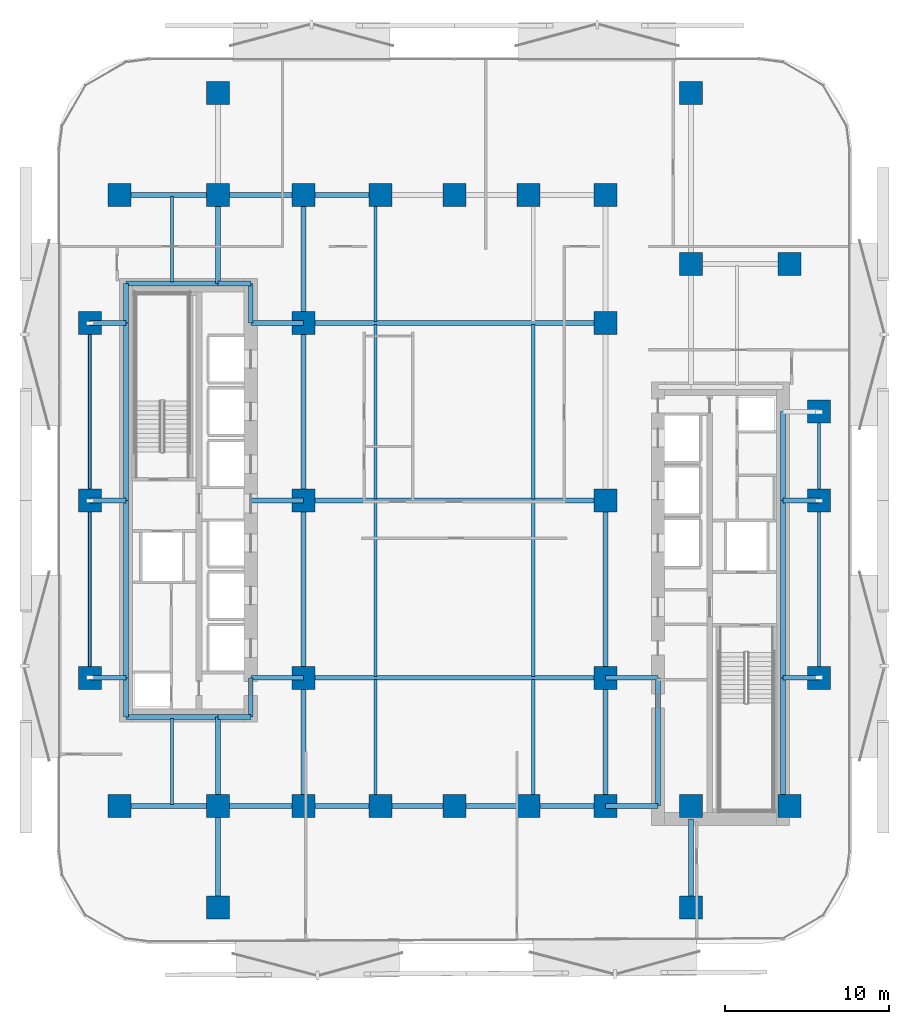
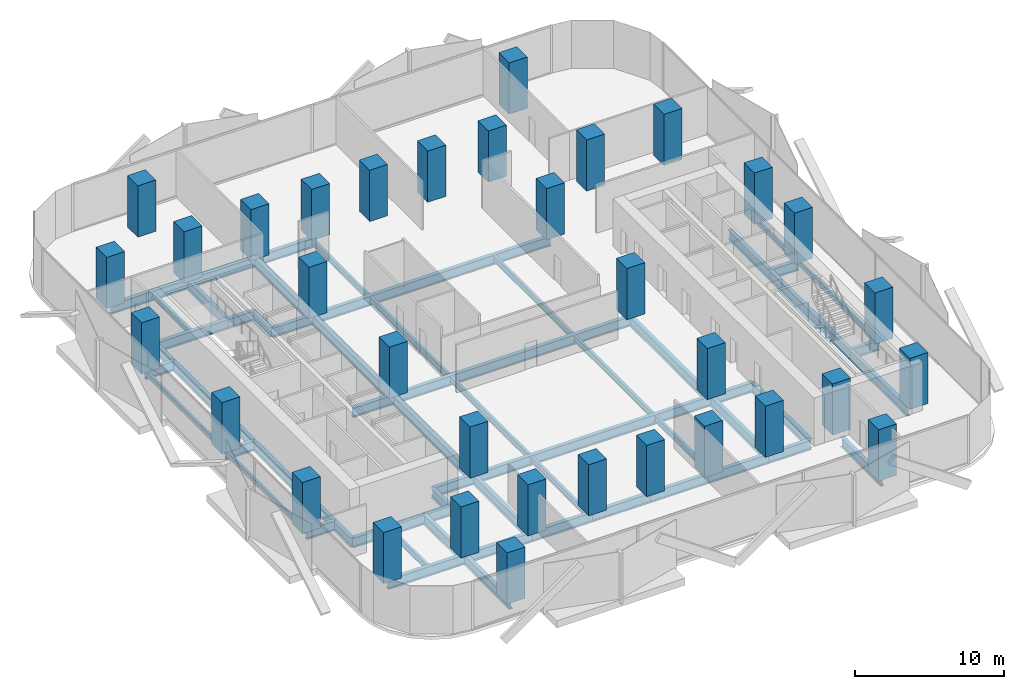
# One storey, part 1 of 15: 59 beams, 34 columns.
"""IFC4 building model written with IfcOpenShell, lengths in metres."""

import ifcopenshell
import ifcopenshell.guid

model = None  # the IFC model being written
_history = None  # IfcOwnerHistory: only IFC2X3 demands one
_inside = {}  # id of a spatial element -> (the spatial element, [elements in it])
_under = {}  # id of a project, library or spatial element -> (it, [spatial elements below it])
_declared = {}  # id of a project -> (the project, [libraries it declares])
_typed = {}  # id of a type object -> (the type object, [elements of that type])
_made_of = {}  # id of a material, layer set ... -> (it, [elements and type objects made of it])


def new_model(schema):
    """Start an empty IFC model of exactly this schema.

    Asked for "IFC4X3", IfcOpenShell would pick the latest addendum, in which some entities
    have other attributes; the version numbers below select the first issue.
    IFC2X3 requires an IfcOwnerHistory on every rooted entity: one is made here for all.
    """
    global model, _history
    if schema == "IFC4X3":
        model = ifcopenshell.file(schema_version=(4, 3, 0, 0))
    else:
        model = ifcopenshell.file(schema=schema)
    _inside.clear()
    _under.clear()
    _declared.clear()
    _typed.clear()
    _made_of.clear()
    _history = None
    if model.schema == "IFC2X3":
        org = make("IfcOrganization", Name="unknown")
        user = make(
            "IfcPersonAndOrganization",
            ThePerson=make("IfcPerson", FamilyName="unknown"),
            TheOrganization=org,
        )
        app = make(
            "IfcApplication",
            ApplicationDeveloper=org,
            Version="unknown",
            ApplicationFullName="unknown",
            ApplicationIdentifier="unknown",
        )
        _history = make(
            "IfcOwnerHistory",
            OwningUser=user,
            OwningApplication=app,
            ChangeAction="ADDED",
            CreationDate=0,
        )
    return model


def make(cls, **values):
    """One entity of the class cls with the attributes given. An attribute that is None is left unset."""
    return model.create_entity(
        cls, **{name: value for name, value in values.items() if value is not None}
    )


def rooted(cls, **values):
    """An entity with a GlobalId (a new one), such as an element, a storey or a relation."""
    return make(cls, GlobalId=ifcopenshell.guid.new(), OwnerHistory=_history, **values)


def si_unit(unit_type, name, prefix=None):
    """IfcSIUnit, for example si_unit("LENGTHUNIT", "METRE", prefix="MILLI")."""
    return make("IfcSIUnit", UnitType=unit_type, Prefix=prefix, Name=name)


def assignment(units):
    """IfcUnitAssignment: the units of a project."""
    return None if units is None else make("IfcUnitAssignment", Units=units)


def point(xyz):
    """IfcCartesianPoint."""
    return None if xyz is None else make("IfcCartesianPoint", Coordinates=xyz)


def direction(xyz):
    """IfcDirection."""
    return None if xyz is None else make("IfcDirection", DirectionRatios=xyz)


def frame(location, z_axis=None, x_axis=None):
    """IfcAxis2Placement3D, a coordinate frame: its origin and axes. An axis left out is left unset."""
    return make(
        "IfcAxis2Placement3D",
        Location=point(location),
        Axis=direction(z_axis),
        RefDirection=direction(x_axis),
    )


def frame_2d(location, x_axis=None):
    """IfcAxis2Placement2D, a coordinate frame in the plane: its origin and x axis."""
    return make(
        "IfcAxis2Placement2D", Location=point(location), RefDirection=direction(x_axis)
    )


def origin():
    """The frame at (0, 0, 0) with its axes left unset."""
    return frame((0.0, 0.0, 0.0))


def origin_2d():
    """The frame at (0, 0) in the plane with its x axis left unset."""
    return frame_2d((0.0, 0.0))


def place(relative_to, where):
    """IfcLocalPlacement: puts the frame where relative to a parent placement (None: the world)."""
    return make(
        "IfcLocalPlacement", PlacementRelTo=relative_to, RelativePlacement=where
    )


def context(
    kind, dimensions, precision=None, world=None, true_north=None, identifier=None
):
    """IfcGeometricRepresentationContext, for example the 3D "Model" context."""
    return make(
        "IfcGeometricRepresentationContext",
        ContextIdentifier=identifier,
        ContextType=kind,
        CoordinateSpaceDimension=dimensions,
        Precision=precision,
        WorldCoordinateSystem=world,
        TrueNorth=true_north,
    )


def subcontext(parent, identifier, kind, view, scale=None):
    """IfcGeometricRepresentationSubContext, for example "Body" below "Model"."""
    return make(
        "IfcGeometricRepresentationSubContext",
        ContextIdentifier=identifier,
        ContextType=kind,
        ParentContext=parent,
        TargetScale=scale,
        TargetView=view,
    )


def project(units=None, contexts=None):
    """IfcProject with its units and contexts."""
    return rooted(
        "IfcProject",
        Name="project",
        RepresentationContexts=contexts,
        UnitsInContext=assignment(units),
    )


def spatial(cls, under=None, at=None, **own):
    """A site, building, storey or space (cls), placed at a placement, below another one or the project."""
    s = rooted(cls, ObjectPlacement=at, **own)
    if under is not None:
        _under.setdefault(under.id(), (under, []))[1].append(s)
    return s


def profile(cls, at=None, kind="AREA", **sizes):
    """A parametric profile (cls). Its sizes go by their IFC names, for example OverallWidth=200.0."""
    return make(cls, ProfileType=kind, Position=at, **sizes)


def rectangle(**sizes):
    """IfcRectangleProfileDef."""
    return profile("IfcRectangleProfileDef", **sizes)


def hollow_rectangle(**sizes):
    """IfcRectangleHollowProfileDef."""
    return profile("IfcRectangleHollowProfileDef", **sizes)


def i_section(**sizes):
    """IfcIShapeProfileDef."""
    return profile("IfcIShapeProfileDef", **sizes)


def extrude(swept, where, along, depth):
    """IfcExtrudedAreaSolid: the profile swept, set in the frame where, extruded along a direction by depth."""
    return make(
        "IfcExtrudedAreaSolid",
        SweptArea=swept,
        Position=where,
        ExtrudedDirection=direction(along),
        Depth=depth,
    )


def shape(context_of_items, identifier, shape_type, items):
    """IfcShapeRepresentation: the items that make up one representation, for example the "Body"."""
    return make(
        "IfcShapeRepresentation",
        ContextOfItems=context_of_items,
        RepresentationIdentifier=identifier,
        RepresentationType=shape_type,
        Items=items,
    )


def material(Name=None, Category=None):
    """IfcMaterial."""
    return make("IfcMaterial", Name=Name, Category=Category)


def material_profile(
    of_material, cross_section, Name=None, Category=None, Priority=None
):
    """IfcMaterialProfile: a cross section and its material."""
    return make(
        "IfcMaterialProfile",
        Name=Name,
        Material=of_material,
        Profile=cross_section,
        Priority=Priority,
        Category=Category,
    )


def profile_set(profiles, Name=None, composite=None):
    """IfcMaterialProfileSet."""
    return make(
        "IfcMaterialProfileSet",
        Name=Name,
        MaterialProfiles=profiles,
        CompositeProfile=composite,
    )


def made_of(thing, what):
    """Note that an element or type object is made of a material, layer set ...; save() writes the relation."""
    if what is not None:
        _made_of.setdefault(what.id(), (what, []))[1].append(thing)
    return thing


def type_object(cls, material=None, **own):
    """A type object (cls), such as IfcWallType, which elements share."""
    return made_of(rooted(cls, **own), material)


def element(
    cls,
    number,
    at=None,
    inside=None,
    cuts=None,
    type_object=None,
    material=None,
    context=None,
    identifier="Body",
    shape_type=None,
    held_by="IfcProductDefinitionShape",
    body=None,
    shapes=None,
    **own,
):
    """One element of the class cls, such as IfcWall. Its Tag is "e" and its number.

    at: its placement. inside: the storey or other place that contains it. cuts: it is an
    opening in that element (IfcRelVoidsElement). A single representation is given by context,
    identifier, shape_type and body (its items); several are given by shapes. held_by: the class
    of the entity that holds the representations. save() writes the other relations.
    """
    e = rooted(cls, Tag="e%d" % number, ObjectPlacement=at, **own)
    if body is not None:
        shapes = [shape(context, identifier, shape_type, body)]
    if shapes is not None:
        e.Representation = make(held_by, Representations=shapes)
    if inside is not None:
        _inside.setdefault(inside.id(), (inside, []))[1].append(e)
    if cuts is not None:
        rooted(
            "IfcRelVoidsElement", RelatingBuildingElement=cuts, RelatedOpeningElement=e
        )
    if type_object is not None:
        _typed.setdefault(type_object.id(), (type_object, []))[1].append(e)
    return made_of(e, material)


def aggregate(whole, parts):
    """IfcRelAggregates: a whole, such as a stair, and the parts it consists of."""
    return rooted("IfcRelAggregates", RelatingObject=whole, RelatedObjects=parts)


def save(model, path):
    """Write the relations noted so far, then the file.

    IfcRelAggregates (storeys below a building ...), IfcRelContainedInSpatialStructure (elements
    in a storey), IfcRelDefinesByType, IfcRelAssociatesMaterial and IfcRelDeclares: one each for
    every whole, place, type object, material and project.
    """
    for whole, parts in _under.values():
        aggregate(whole, parts)
    for where, things in _inside.values():
        rooted(
            "IfcRelContainedInSpatialStructure",
            RelatedElements=things,
            RelatingStructure=where,
        )
    for kind, things in _typed.values():
        rooted("IfcRelDefinesByType", RelatedObjects=things, RelatingType=kind)
    for what, things in _made_of.values():
        rooted("IfcRelAssociatesMaterial", RelatedObjects=things, RelatingMaterial=what)
    for by, libraries in _declared.values():
        rooted("IfcRelDeclares", RelatingContext=by, RelatedDefinitions=libraries)
    model.write(path)


model = new_model("IFC4")

# Units and contexts
model_context = context("Model", 3, precision=1e-05, world=origin(), true_north=direction((0.0, 1.0)))
body_context = subcontext(model_context, "Body", "Model", "MODEL_VIEW")
ifc_project = project(units=[si_unit("LENGTHUNIT", "METRE"), si_unit("AREAUNIT", "SQUARE_METRE"), si_unit("VOLUMEUNIT", "CUBIC_METRE"), si_unit("PLANEANGLEUNIT", "RADIAN"), si_unit("MASSUNIT", "GRAM", prefix="KILO")], contexts=[model_context])

# Site, building, storey
site_placement = place(None, origin())
site = spatial("IfcSite", under=ifc_project, at=site_placement, CompositionType="ELEMENT")
building_placement = place(site_placement, origin())
building = spatial("IfcBuilding", under=site, at=building_placement, Name="Khairoan Windgate Tower", CompositionType="ELEMENT")
storey_placement = place(building_placement, frame((0.0, 0.0, 51.199951171875)))
storey = spatial("IfcBuildingStorey", under=building, at=storey_placement, Name="L12", CompositionType="ELEMENT", Elevation=51.199951171875)

# Columns
ifc_material_1 = material(Name="Concrete C60/75", Category="concrete")
ifc_material_profile_1 = material_profile(ifc_material_1, rectangle(XDim=1.39990234375, YDim=1.39990234375, at=origin_2d()))
ifc_profile_set_1 = profile_set([ifc_material_profile_1], Name="Concrete C60/75")
column_type = type_object("IfcColumnType", Name="Column C-T2 RC1400x1400", PredefinedType="COLUMN", material=ifc_profile_set_1)
for number, where, z_axis, x_axis, name in (
    (1, (-9.199951171875, -18.60009765625, 0.0), (0.0, 0.0, 1.0), (1.0, 0.0, 0.0), "Column L12-01"),
    (2, (-9.199951171875, -10.800048828125, 0.0), (0.0, 0.0, 1.0), (1.0, 0.0, 0.0), "Column L12-02"),
    (3, (-9.199951171875, 0.0, 0.0), (0.0, 0.0, 1.0), (1.0, 0.0, 0.0), "Column L12-03"),
    (4, (-9.199951171875, 10.800048828125, 0.0), (0.0, 0.0, 1.0), (1.0, 0.0, 0.0), "Column L12-04"),
    (5, (-9.199951171875, 18.60009765625, 0.0), (0.0, 0.0, 1.0), (1.0, 0.0, 0.0), "Column L12-05"),
    (6, (9.199951171875, -18.60009765625, 0.0), (0.0, 0.0, 1.0), (1.0, 0.0, 0.0), "Column L12-06"),
    (7, (9.199951171875, -10.800048828125, 0.0), (0.0, 0.0, 1.0), (1.0, 0.0, 0.0), "Column L12-07"),
    (8, (9.199951171875, 0.0, 0.0), (0.0, 0.0, 1.0), (1.0, 0.0, 0.0), "Column L12-08"),
    (9, (9.199951171875, 10.800048828125, 0.0), (0.0, 0.0, 1.0), (1.0, 0.0, 0.0), "Column L12-09"),
    (10, (9.199951171875, 18.60009765625, 0.0), (0.0, 0.0, 1.0), (1.0, 0.0, 0.0), "Column L12-10"),
    (11, (-20.39990234375, -18.60009765625, 0.0), (0.0, 0.0, 1.0), (1.0, 0.0, 0.0), "Column L12-11"),
    (12, (-20.39990234375, 18.60009765625, 0.0), (0.0, 0.0, 1.0), (1.0, 0.0, 0.0), "Column L12-12"),
    (13, (20.39990234375, -18.60009765625, 0.0), (0.0, 0.0, 1.0), (1.0, 0.0, 0.0), "Column L12-13"),
    (14, (20.39990234375, 14.39990234375, 0.0), (0.0, 0.0, 1.0), (1.0, 0.0, 0.0), "Column L12-14"),
    (15, (-14.39990234375, -18.60009765625, 0.0), (0.0, 0.0, 1.0), (1.0, 0.0, 0.0), "Column L12-15"),
    (16, (-14.39990234375, 18.60009765625, 0.0), (0.0, 0.0, 1.0), (1.0, 0.0, 0.0), "Column L12-16"),
    (17, (14.39990234375, -18.60009765625, 0.0), (0.0, 0.0, 1.0), (1.0, 0.0, 0.0), "Column L12-17"),
    (18, (14.39990234375, 14.39990234375, 0.0), (0.0, 0.0, 1.0), (1.0, 0.0, 0.0), "Column L12-18"),
    (19, (-4.5, -18.60009765625, 0.0), (0.0, 0.0, 1.0), (1.0, 0.0, 0.0), "Column L12-19"),
    (20, (0.0, -18.60009765625, 0.0), (0.0, 0.0, 1.0), (1.0, 0.0, 0.0), "Column L12-20"),
    (21, (4.5, -18.60009765625, 0.0), (0.0, 0.0, 1.0), (1.0, 0.0, 0.0), "Column L12-21"),
    (22, (-4.5, 18.60009765625, 0.0), (0.0, 0.0, 1.0), (1.0, 0.0, 0.0), "Column L12-22"),
    (23, (0.0, 18.60009765625, 0.0), (0.0, 0.0, 1.0), (1.0, 0.0, 0.0), "Column L12-23"),
    (24, (4.5, 18.60009765625, 0.0), (0.0, 0.0, 1.0), (1.0, 0.0, 0.0), "Column L12-24"),
    (25, (-22.199951171875, -10.800048828125, 0.0), (0.0, 0.0, 1.0), (1.0, 0.0, 0.0), "Column L12-25"),
    (26, (-22.199951171875, 0.0, 0.0), (0.0, 0.0, 1.0), (1.0, 0.0, 0.0), "Column L12-26"),
    (27, (-22.199951171875, 10.800048828125, 0.0), (0.0, 0.0, 1.0), (1.0, 0.0, 0.0), "Column L12-27"),
    (28, (22.199951171875, -10.800048828125, 0.0), (0.0, 0.0, 1.0), (1.0, 0.0, 0.0), "Column L12-28"),
    (29, (22.199951171875, 0.0, 0.0), (0.0, 0.0, 1.0), (1.0, 0.0, 0.0), "Column L12-29"),
    (30, (22.199951171875, 5.39990234375, 0.0), (0.0, 0.0, 1.0), (1.0, 0.0, 0.0), "Column L12-30"),
    (31, (-14.39990234375, -24.800048828125, 0.0), (0.0, 0.0, 1.0), (1.0, 0.0, 0.0), "Column L12-31"),
    (32, (-14.39990234375, 24.800048828125, 0.0), (0.0, 0.0, 1.0), (1.0, 0.0, 0.0), "Column L12-32"),
    (33, (14.39990234375, -24.800048828125, 0.0), (0.0, 0.0, 1.0), (1.0, 0.0, 0.0), "Column L12-33"),
    (34, (14.39990234375, 24.800048828125, 0.0), (0.0, 0.0, 1.0), (1.0, 0.0, 0.0), "Column L12-34"),
):
    element("IfcColumn", number, at=place(storey_placement, frame(where, z_axis=z_axis, x_axis=x_axis)), inside=storey, type_object=column_type, Name=name, PredefinedType="COLUMN", context=body_context, shape_type="SweptSolid", body=[
        extrude(rectangle(XDim=1.39990234375, YDim=1.39990234375, at=origin_2d()), origin(), (0.0, 0.0, 1.0), 4.199951171875),
    ])

# Beams
ifc_material_2 = material(Name="Steel S355", Category="steel")
ifc_material_profile_2 = material_profile(ifc_material_2, i_section(OverallWidth=0.300048828125, OverallDepth=0.800048828125, WebThickness=0.013916015625, FlangeThickness=0.02587890625, FilletRadius=0.028076171875, at=origin_2d()))
ifc_profile_set_2 = profile_set([ifc_material_profile_2], Name="Steel S355")
beam_type_1 = type_object("IfcBeamType", Name="Beam B-G2 H800x300x14x26", PredefinedType="BEAM", material=ifc_profile_set_2)
beam_1_placement = place(storey_placement, frame((-20.39990234375, -18.60009765625, -0.659912109375), z_axis=(1.0, 0.0, 0.0), x_axis=(0.0, 1.0, 0.0)))
element("IfcBeam", 35, at=beam_1_placement, inside=storey, type_object=beam_type_1, Name="L12 E-W Primary Girder 01", PredefinedType="BEAM", context=body_context, shape_type="SweptSolid", body=[
    extrude(i_section(OverallWidth=0.300048828125, OverallDepth=0.800048828125, WebThickness=0.013916015625, FlangeThickness=0.02587890625, FilletRadius=0.028076171875, at=origin_2d()), origin(), (0.0, 0.0, 1.0), 6.0),
])
beam_2_placement = place(storey_placement, frame((-14.39990234375, -18.60009765625, -0.659912109375), z_axis=(1.0, 0.0, 0.0), x_axis=(0.0, 1.0, 0.0)))
element("IfcBeam", 36, at=beam_2_placement, inside=storey, type_object=beam_type_1, Name="L12 E-W Primary Girder 02", PredefinedType="BEAM", context=body_context, shape_type="SweptSolid", body=[
    extrude(i_section(OverallWidth=0.300048828125, OverallDepth=0.800048828125, WebThickness=0.013916015625, FlangeThickness=0.02587890625, FilletRadius=0.028076171875, at=origin_2d()), origin(), (0.0, 0.0, 1.0), 5.199951171875),
])
beam_3_placement = place(storey_placement, frame((-9.199951171875, -18.60009765625, -0.659912109375), z_axis=(1.0, 0.0, 0.0), x_axis=(0.0, 1.0, 0.0)))
element("IfcBeam", 37, at=beam_3_placement, inside=storey, type_object=beam_type_1, Name="L12 E-W Primary Girder 03", PredefinedType="BEAM", context=body_context, shape_type="SweptSolid", body=[
    extrude(i_section(OverallWidth=0.300048828125, OverallDepth=0.800048828125, WebThickness=0.013916015625, FlangeThickness=0.02587890625, FilletRadius=0.028076171875, at=origin_2d()), origin(), (0.0, 0.0, 1.0), 4.699951171875),
])
for number, where, z_axis, x_axis, name in (
    (38, (-4.5, -18.60009765625, -0.659912109375), (1.0, 0.0, 0.0), (0.0, 1.0, 0.0), "L12 E-W Primary Girder 04"),
    (39, (0.0, -18.60009765625, -0.659912109375), (1.0, 0.0, 0.0), (0.0, 1.0, 0.0), "L12 E-W Primary Girder 05"),
):
    element("IfcBeam", number, at=place(storey_placement, frame(where, z_axis=z_axis, x_axis=x_axis)), inside=storey, type_object=beam_type_1, Name=name, PredefinedType="BEAM", context=body_context, shape_type="SweptSolid", body=[
        extrude(i_section(OverallWidth=0.300048828125, OverallDepth=0.800048828125, WebThickness=0.013916015625, FlangeThickness=0.02587890625, FilletRadius=0.028076171875, at=origin_2d()), origin(), (0.0, 0.0, 1.0), 4.5),
    ])
beam_4_placement = place(storey_placement, frame((4.5, -18.60009765625, -0.659912109375), z_axis=(1.0, 0.0, 0.0), x_axis=(0.0, 1.0, 0.0)))
element("IfcBeam", 40, at=beam_4_placement, inside=storey, type_object=beam_type_1, Name="L12 E-W Primary Girder 06", PredefinedType="BEAM", context=body_context, shape_type="SweptSolid", body=[
    extrude(i_section(OverallWidth=0.300048828125, OverallDepth=0.800048828125, WebThickness=0.013916015625, FlangeThickness=0.02587890625, FilletRadius=0.028076171875, at=origin_2d()), origin(), (0.0, 0.0, 1.0), 4.699951171875),
])
beam_5_placement = place(storey_placement, frame((9.199951171875, -18.60009765625, -0.659912109375), z_axis=(1.0, 0.0, 0.0), x_axis=(0.0, 1.0, 0.0)))
element("IfcBeam", 41, at=beam_5_placement, inside=storey, type_object=beam_type_1, Name="L12 E-W Primary Girder 07", PredefinedType="BEAM", context=body_context, shape_type="SweptSolid", body=[
    extrude(i_section(OverallWidth=0.300048828125, OverallDepth=0.800048828125, WebThickness=0.013916015625, FlangeThickness=0.02587890625, FilletRadius=0.028076171875, at=origin_2d()), origin(), (0.0, 0.0, 1.0), 3.199951171875),
])
beam_6_placement = place(storey_placement, frame((-20.0, -13.199951171875, -0.659912109375), z_axis=(1.0, 0.0, 0.0), x_axis=(0.0, 1.0, 0.0)))
element("IfcBeam", 42, at=beam_6_placement, inside=storey, type_object=beam_type_1, Name="L12 E-W Primary Girder 08", PredefinedType="BEAM", context=body_context, shape_type="SweptSolid", body=[
    extrude(i_section(OverallWidth=0.300048828125, OverallDepth=0.800048828125, WebThickness=0.013916015625, FlangeThickness=0.02587890625, FilletRadius=0.028076171875, at=origin_2d()), origin(), (0.0, 0.0, 1.0), 5.60009765625),
])
beam_7_placement = place(storey_placement, frame((-14.39990234375, -13.199951171875, -0.659912109375), z_axis=(1.0, 0.0, 0.0), x_axis=(0.0, 1.0, 0.0)))
element("IfcBeam", 43, at=beam_7_placement, inside=storey, type_object=beam_type_1, Name="L12 E-W Primary Girder 09", PredefinedType="BEAM", context=body_context, shape_type="SweptSolid", body=[
    extrude(i_section(OverallWidth=0.300048828125, OverallDepth=0.800048828125, WebThickness=0.013916015625, FlangeThickness=0.02587890625, FilletRadius=0.028076171875, at=origin_2d()), origin(), (0.0, 0.0, 1.0), 2.0),
])
beam_8_placement = place(storey_placement, frame((-22.199951171875, -10.800048828125, -0.659912109375), z_axis=(1.0, 0.0, 0.0), x_axis=(0.0, 1.0, 0.0)))
element("IfcBeam", 44, at=beam_8_placement, inside=storey, type_object=beam_type_1, Name="L12 E-W Primary Girder 10", PredefinedType="BEAM", context=body_context, shape_type="SweptSolid", body=[
    extrude(i_section(OverallWidth=0.300048828125, OverallDepth=0.800048828125, WebThickness=0.013916015625, FlangeThickness=0.02587890625, FilletRadius=0.028076171875, at=origin_2d()), origin(), (0.0, 0.0, 1.0), 2.199951171875),
])
beam_9_placement = place(storey_placement, frame((-12.39990234375, -10.800048828125, -0.659912109375), z_axis=(1.0, 0.0, 0.0), x_axis=(0.0, 1.0, 0.0)))
element("IfcBeam", 45, at=beam_9_placement, inside=storey, type_object=beam_type_1, Name="L12 E-W Primary Girder 11", PredefinedType="BEAM", context=body_context, shape_type="SweptSolid", body=[
    extrude(i_section(OverallWidth=0.300048828125, OverallDepth=0.800048828125, WebThickness=0.013916015625, FlangeThickness=0.02587890625, FilletRadius=0.028076171875, at=origin_2d()), origin(), (0.0, 0.0, 1.0), 3.199951171875),
])
beam_10_placement = place(storey_placement, frame((-9.199951171875, -10.800048828125, -0.659912109375), z_axis=(1.0, 0.0, 0.0), x_axis=(0.0, 1.0, 0.0)))
element("IfcBeam", 46, at=beam_10_placement, inside=storey, type_object=beam_type_1, Name="L12 E-W Primary Girder 12", PredefinedType="BEAM", context=body_context, shape_type="SweptSolid", body=[
    extrude(i_section(OverallWidth=0.300048828125, OverallDepth=0.800048828125, WebThickness=0.013916015625, FlangeThickness=0.02587890625, FilletRadius=0.028076171875, at=origin_2d()), origin(), (0.0, 0.0, 1.0), 18.39990234375),
])
beam_11_placement = place(storey_placement, frame((9.199951171875, -10.800048828125, -0.659912109375), z_axis=(1.0, 0.0, 0.0), x_axis=(0.0, 1.0, 0.0)))
element("IfcBeam", 47, at=beam_11_placement, inside=storey, type_object=beam_type_1, Name="L12 E-W Primary Girder 13", PredefinedType="BEAM", context=body_context, shape_type="SweptSolid", body=[
    extrude(i_section(OverallWidth=0.300048828125, OverallDepth=0.800048828125, WebThickness=0.013916015625, FlangeThickness=0.02587890625, FilletRadius=0.028076171875, at=origin_2d()), origin(), (0.0, 0.0, 1.0), 3.199951171875),
])
for number, where, z_axis, x_axis, name in (
    (48, (20.0, -10.800048828125, -0.659912109375), (1.0, 0.0, 0.0), (0.0, 1.0, 0.0), "L12 E-W Primary Girder 14"),
    (49, (-22.199951171875, 0.0, -0.659912109375), (1.0, 0.0, 0.0), (0.0, 1.0, 0.0), "L12 E-W Primary Girder 15"),
):
    element("IfcBeam", number, at=place(storey_placement, frame(where, z_axis=z_axis, x_axis=x_axis)), inside=storey, type_object=beam_type_1, Name=name, PredefinedType="BEAM", context=body_context, shape_type="SweptSolid", body=[
        extrude(i_section(OverallWidth=0.300048828125, OverallDepth=0.800048828125, WebThickness=0.013916015625, FlangeThickness=0.02587890625, FilletRadius=0.028076171875, at=origin_2d()), origin(), (0.0, 0.0, 1.0), 2.199951171875),
    ])
beam_12_placement = place(storey_placement, frame((-12.39990234375, 0.0, -0.659912109375), z_axis=(1.0, 0.0, 0.0), x_axis=(0.0, 1.0, 0.0)))
element("IfcBeam", 50, at=beam_12_placement, inside=storey, type_object=beam_type_1, Name="L12 E-W Primary Girder 16", PredefinedType="BEAM", context=body_context, shape_type="SweptSolid", body=[
    extrude(i_section(OverallWidth=0.300048828125, OverallDepth=0.800048828125, WebThickness=0.013916015625, FlangeThickness=0.02587890625, FilletRadius=0.028076171875, at=origin_2d()), origin(), (0.0, 0.0, 1.0), 3.199951171875),
])
beam_13_placement = place(storey_placement, frame((-9.199951171875, 0.0, -0.659912109375), z_axis=(1.0, 0.0, 0.0), x_axis=(0.0, 1.0, 0.0)))
element("IfcBeam", 51, at=beam_13_placement, inside=storey, type_object=beam_type_1, Name="L12 E-W Primary Girder 17", PredefinedType="BEAM", context=body_context, shape_type="SweptSolid", body=[
    extrude(i_section(OverallWidth=0.300048828125, OverallDepth=0.800048828125, WebThickness=0.013916015625, FlangeThickness=0.02587890625, FilletRadius=0.028076171875, at=origin_2d()), origin(), (0.0, 0.0, 1.0), 18.39990234375),
])
for number, where, z_axis, x_axis, name in (
    (52, (20.0, 0.0, -0.659912109375), (1.0, 0.0, 0.0), (0.0, 1.0, 0.0), "L12 E-W Primary Girder 18"),
    (53, (-22.199951171875, 10.800048828125, -0.659912109375), (1.0, 0.0, 0.0), (0.0, 1.0, 0.0), "L12 E-W Primary Girder 22"),
):
    element("IfcBeam", number, at=place(storey_placement, frame(where, z_axis=z_axis, x_axis=x_axis)), inside=storey, type_object=beam_type_1, Name=name, PredefinedType="BEAM", context=body_context, shape_type="SweptSolid", body=[
        extrude(i_section(OverallWidth=0.300048828125, OverallDepth=0.800048828125, WebThickness=0.013916015625, FlangeThickness=0.02587890625, FilletRadius=0.028076171875, at=origin_2d()), origin(), (0.0, 0.0, 1.0), 2.199951171875),
    ])
beam_14_placement = place(storey_placement, frame((-12.39990234375, 10.800048828125, -0.659912109375), z_axis=(1.0, 0.0, 0.0), x_axis=(0.0, 1.0, 0.0)))
element("IfcBeam", 54, at=beam_14_placement, inside=storey, type_object=beam_type_1, Name="L12 E-W Primary Girder 23", PredefinedType="BEAM", context=body_context, shape_type="SweptSolid", body=[
    extrude(i_section(OverallWidth=0.300048828125, OverallDepth=0.800048828125, WebThickness=0.013916015625, FlangeThickness=0.02587890625, FilletRadius=0.028076171875, at=origin_2d()), origin(), (0.0, 0.0, 1.0), 3.199951171875),
])
beam_15_placement = place(storey_placement, frame((-9.199951171875, 10.800048828125, -0.659912109375), z_axis=(1.0, 0.0, 0.0), x_axis=(0.0, 1.0, 0.0)))
element("IfcBeam", 55, at=beam_15_placement, inside=storey, type_object=beam_type_1, Name="L12 E-W Primary Girder 24", PredefinedType="BEAM", context=body_context, shape_type="SweptSolid", body=[
    extrude(i_section(OverallWidth=0.300048828125, OverallDepth=0.800048828125, WebThickness=0.013916015625, FlangeThickness=0.02587890625, FilletRadius=0.028076171875, at=origin_2d()), origin(), (0.0, 0.0, 1.0), 18.39990234375),
])
beam_16_placement = place(storey_placement, frame((-20.0, 13.199951171875, -0.659912109375), z_axis=(1.0, 0.0, 0.0), x_axis=(0.0, 1.0, 0.0)))
element("IfcBeam", 56, at=beam_16_placement, inside=storey, type_object=beam_type_1, Name="L12 E-W Primary Girder 25", PredefinedType="BEAM", context=body_context, shape_type="SweptSolid", body=[
    extrude(i_section(OverallWidth=0.300048828125, OverallDepth=0.800048828125, WebThickness=0.013916015625, FlangeThickness=0.02587890625, FilletRadius=0.028076171875, at=origin_2d()), origin(), (0.0, 0.0, 1.0), 5.60009765625),
])
beam_17_placement = place(storey_placement, frame((-14.39990234375, 13.199951171875, -0.659912109375), z_axis=(1.0, 0.0, 0.0), x_axis=(0.0, 1.0, 0.0)))
element("IfcBeam", 57, at=beam_17_placement, inside=storey, type_object=beam_type_1, Name="L12 E-W Primary Girder 26", PredefinedType="BEAM", context=body_context, shape_type="SweptSolid", body=[
    extrude(i_section(OverallWidth=0.300048828125, OverallDepth=0.800048828125, WebThickness=0.013916015625, FlangeThickness=0.02587890625, FilletRadius=0.028076171875, at=origin_2d()), origin(), (0.0, 0.0, 1.0), 2.0),
])
beam_18_placement = place(storey_placement, frame((-20.39990234375, 18.60009765625, -0.659912109375), z_axis=(1.0, 0.0, 0.0), x_axis=(0.0, 1.0, 0.0)))
element("IfcBeam", 58, at=beam_18_placement, inside=storey, type_object=beam_type_1, Name="L12 E-W Primary Girder 28", PredefinedType="BEAM", context=body_context, shape_type="SweptSolid", body=[
    extrude(i_section(OverallWidth=0.300048828125, OverallDepth=0.800048828125, WebThickness=0.013916015625, FlangeThickness=0.02587890625, FilletRadius=0.028076171875, at=origin_2d()), origin(), (0.0, 0.0, 1.0), 6.0),
])
beam_19_placement = place(storey_placement, frame((-14.39990234375, 18.60009765625, -0.659912109375), z_axis=(1.0, 0.0, 0.0), x_axis=(0.0, 1.0, 0.0)))
element("IfcBeam", 59, at=beam_19_placement, inside=storey, type_object=beam_type_1, Name="L12 E-W Primary Girder 29", PredefinedType="BEAM", context=body_context, shape_type="SweptSolid", body=[
    extrude(i_section(OverallWidth=0.300048828125, OverallDepth=0.800048828125, WebThickness=0.013916015625, FlangeThickness=0.02587890625, FilletRadius=0.028076171875, at=origin_2d()), origin(), (0.0, 0.0, 1.0), 5.199951171875),
])
beam_20_placement = place(storey_placement, frame((-9.199951171875, 18.60009765625, -0.659912109375), z_axis=(1.0, 0.0, 0.0), x_axis=(0.0, 1.0, 0.0)))
element("IfcBeam", 60, at=beam_20_placement, inside=storey, type_object=beam_type_1, Name="L12 E-W Primary Girder 30", PredefinedType="BEAM", context=body_context, shape_type="SweptSolid", body=[
    extrude(i_section(OverallWidth=0.300048828125, OverallDepth=0.800048828125, WebThickness=0.013916015625, FlangeThickness=0.02587890625, FilletRadius=0.028076171875, at=origin_2d()), origin(), (0.0, 0.0, 1.0), 4.699951171875),
])
beam_21_placement = place(storey_placement, frame((-20.0, -13.199951171875, -0.659912109375), z_axis=(0.0, 1.0, 0.0), x_axis=(-1.0, 0.0, 0.0)))
element("IfcBeam", 61, at=beam_21_placement, inside=storey, type_object=beam_type_1, Name="L12 N-S Primary Beam 36", PredefinedType="BEAM", context=body_context, shape_type="SweptSolid", body=[
    extrude(i_section(OverallWidth=0.300048828125, OverallDepth=0.800048828125, WebThickness=0.013916015625, FlangeThickness=0.02587890625, FilletRadius=0.028076171875, at=origin_2d()), origin(), (0.0, 0.0, 1.0), 2.39990234375),
])
for number, where, z_axis, x_axis, name in (
    (62, (-20.0, -10.800048828125, -0.659912109375), (0.0, 1.0, 0.0), (-1.0, 0.0, 0.0), "L12 N-S Primary Beam 37"),
    (63, (-20.0, 0.0, -0.659912109375), (0.0, 1.0, 0.0), (-1.0, 0.0, 0.0), "L12 N-S Primary Beam 38"),
):
    element("IfcBeam", number, at=place(storey_placement, frame(where, z_axis=z_axis, x_axis=x_axis)), inside=storey, type_object=beam_type_1, Name=name, PredefinedType="BEAM", context=body_context, shape_type="SweptSolid", body=[
        extrude(i_section(OverallWidth=0.300048828125, OverallDepth=0.800048828125, WebThickness=0.013916015625, FlangeThickness=0.02587890625, FilletRadius=0.028076171875, at=origin_2d()), origin(), (0.0, 0.0, 1.0), 10.800048828125),
    ])
beam_22_placement = place(storey_placement, frame((-20.0, 10.800048828125, -0.659912109375), z_axis=(0.0, 1.0, 0.0), x_axis=(-1.0, 0.0, 0.0)))
element("IfcBeam", 64, at=beam_22_placement, inside=storey, type_object=beam_type_1, Name="L12 N-S Primary Beam 39", PredefinedType="BEAM", context=body_context, shape_type="SweptSolid", body=[
    extrude(i_section(OverallWidth=0.300048828125, OverallDepth=0.800048828125, WebThickness=0.013916015625, FlangeThickness=0.02587890625, FilletRadius=0.028076171875, at=origin_2d()), origin(), (0.0, 0.0, 1.0), 2.39990234375),
])
beam_23_placement = place(storey_placement, frame((-14.39990234375, -24.800048828125, -0.659912109375), z_axis=(0.0, 1.0, 0.0), x_axis=(-1.0, 0.0, 0.0)))
element("IfcBeam", 65, at=beam_23_placement, inside=storey, type_object=beam_type_1, Name="L12 N-S Primary Beam 40", PredefinedType="BEAM", context=body_context, shape_type="SweptSolid", body=[
    extrude(i_section(OverallWidth=0.300048828125, OverallDepth=0.800048828125, WebThickness=0.013916015625, FlangeThickness=0.02587890625, FilletRadius=0.028076171875, at=origin_2d()), origin(), (0.0, 0.0, 1.0), 6.199951171875),
])
for number, where, z_axis, x_axis, name in (
    (66, (-14.39990234375, -18.60009765625, -0.659912109375), (0.0, 1.0, 0.0), (-1.0, 0.0, 0.0), "L12 N-S Primary Beam 41"),
    (67, (-14.39990234375, 13.199951171875, -0.659912109375), (0.0, 1.0, 0.0), (-1.0, 0.0, 0.0), "L12 N-S Primary Beam 42"),
):
    element("IfcBeam", number, at=place(storey_placement, frame(where, z_axis=z_axis, x_axis=x_axis)), inside=storey, type_object=beam_type_1, Name=name, PredefinedType="BEAM", context=body_context, shape_type="SweptSolid", body=[
        extrude(i_section(OverallWidth=0.300048828125, OverallDepth=0.800048828125, WebThickness=0.013916015625, FlangeThickness=0.02587890625, FilletRadius=0.028076171875, at=origin_2d()), origin(), (0.0, 0.0, 1.0), 5.400146484375),
    ])
for number, where, z_axis, x_axis, name in (
    (68, (-12.39990234375, -13.199951171875, -0.659912109375), (0.0, 1.0, 0.0), (-1.0, 0.0, 0.0), "L12 N-S Primary Beam 44"),
    (69, (-12.39990234375, 10.800048828125, -0.659912109375), (0.0, 1.0, 0.0), (-1.0, 0.0, 0.0), "L12 N-S Primary Beam 45"),
):
    element("IfcBeam", number, at=place(storey_placement, frame(where, z_axis=z_axis, x_axis=x_axis)), inside=storey, type_object=beam_type_1, Name=name, PredefinedType="BEAM", context=body_context, shape_type="SweptSolid", body=[
        extrude(i_section(OverallWidth=0.300048828125, OverallDepth=0.800048828125, WebThickness=0.013916015625, FlangeThickness=0.02587890625, FilletRadius=0.028076171875, at=origin_2d()), origin(), (0.0, 0.0, 1.0), 2.39990234375),
    ])
beam_24_placement = place(storey_placement, frame((-9.199951171875, -18.60009765625, -0.659912109375), z_axis=(0.0, 1.0, 0.0), x_axis=(-1.0, 0.0, 0.0)))
element("IfcBeam", 70, at=beam_24_placement, inside=storey, type_object=beam_type_1, Name="L12 N-S Primary Beam 46", PredefinedType="BEAM", context=body_context, shape_type="SweptSolid", body=[
    extrude(i_section(OverallWidth=0.300048828125, OverallDepth=0.800048828125, WebThickness=0.013916015625, FlangeThickness=0.02587890625, FilletRadius=0.028076171875, at=origin_2d()), origin(), (0.0, 0.0, 1.0), 7.800048828125),
])
for number, where, z_axis, x_axis, name in (
    (71, (-9.199951171875, -10.800048828125, -0.659912109375), (0.0, 1.0, 0.0), (-1.0, 0.0, 0.0), "L12 N-S Primary Beam 47"),
    (72, (-9.199951171875, 0.0, -0.659912109375), (0.0, 1.0, 0.0), (-1.0, 0.0, 0.0), "L12 N-S Primary Beam 48"),
):
    element("IfcBeam", number, at=place(storey_placement, frame(where, z_axis=z_axis, x_axis=x_axis)), inside=storey, type_object=beam_type_1, Name=name, PredefinedType="BEAM", context=body_context, shape_type="SweptSolid", body=[
        extrude(i_section(OverallWidth=0.300048828125, OverallDepth=0.800048828125, WebThickness=0.013916015625, FlangeThickness=0.02587890625, FilletRadius=0.028076171875, at=origin_2d()), origin(), (0.0, 0.0, 1.0), 10.800048828125),
    ])
for number, where, z_axis, x_axis, name in (
    (73, (-9.199951171875, 10.800048828125, -0.659912109375), (0.0, 1.0, 0.0), (-1.0, 0.0, 0.0), "L12 N-S Primary Beam 49"),
    (74, (9.199951171875, -18.60009765625, -0.659912109375), (0.0, 1.0, 0.0), (-1.0, 0.0, 0.0), "L12 N-S Primary Beam 50"),
):
    element("IfcBeam", number, at=place(storey_placement, frame(where, z_axis=z_axis, x_axis=x_axis)), inside=storey, type_object=beam_type_1, Name=name, PredefinedType="BEAM", context=body_context, shape_type="SweptSolid", body=[
        extrude(i_section(OverallWidth=0.300048828125, OverallDepth=0.800048828125, WebThickness=0.013916015625, FlangeThickness=0.02587890625, FilletRadius=0.028076171875, at=origin_2d()), origin(), (0.0, 0.0, 1.0), 7.800048828125),
    ])
beam_25_placement = place(storey_placement, frame((9.199951171875, -10.800048828125, -0.659912109375), z_axis=(0.0, 1.0, 0.0), x_axis=(-1.0, 0.0, 0.0)))
element("IfcBeam", 75, at=beam_25_placement, inside=storey, type_object=beam_type_1, Name="L12 N-S Primary Beam 51", PredefinedType="BEAM", context=body_context, shape_type="SweptSolid", body=[
    extrude(i_section(OverallWidth=0.300048828125, OverallDepth=0.800048828125, WebThickness=0.013916015625, FlangeThickness=0.02587890625, FilletRadius=0.028076171875, at=origin_2d()), origin(), (0.0, 0.0, 1.0), 10.800048828125),
])
beam_26_placement = place(storey_placement, frame((12.39990234375, -18.60009765625, -0.659912109375), z_axis=(0.0, 1.0, 0.0), x_axis=(-1.0, 0.0, 0.0)))
element("IfcBeam", 76, at=beam_26_placement, inside=storey, type_object=beam_type_1, Name="L12 N-S Primary Beam 54", PredefinedType="BEAM", context=body_context, shape_type="SweptSolid", body=[
    extrude(i_section(OverallWidth=0.300048828125, OverallDepth=0.800048828125, WebThickness=0.013916015625, FlangeThickness=0.02587890625, FilletRadius=0.028076171875, at=origin_2d()), origin(), (0.0, 0.0, 1.0), 7.800048828125),
])
beam_27_placement = place(storey_placement, frame((14.39990234375, -24.800048828125, -0.659912109375), z_axis=(0.0, 1.0, 0.0), x_axis=(-1.0, 0.0, 0.0)))
element("IfcBeam", 77, at=beam_27_placement, inside=storey, type_object=beam_type_1, Name="L12 N-S Primary Beam 55", PredefinedType="BEAM", context=body_context, shape_type="SweptSolid", body=[
    extrude(i_section(OverallWidth=0.300048828125, OverallDepth=0.800048828125, WebThickness=0.013916015625, FlangeThickness=0.02587890625, FilletRadius=0.028076171875, at=origin_2d()), origin(), (0.0, 0.0, 1.0), 5.400146484375),
])
beam_28_placement = place(storey_placement, frame((20.0, -18.60009765625, -0.659912109375), z_axis=(0.0, 1.0, 0.0), x_axis=(-1.0, 0.0, 0.0)))
element("IfcBeam", 78, at=beam_28_placement, inside=storey, type_object=beam_type_1, Name="L12 N-S Primary Beam 58", PredefinedType="BEAM", context=body_context, shape_type="SweptSolid", body=[
    extrude(i_section(OverallWidth=0.300048828125, OverallDepth=0.800048828125, WebThickness=0.013916015625, FlangeThickness=0.02587890625, FilletRadius=0.028076171875, at=origin_2d()), origin(), (0.0, 0.0, 1.0), 7.800048828125),
])
beam_29_placement = place(storey_placement, frame((20.0, -10.800048828125, -0.659912109375), z_axis=(0.0, 1.0, 0.0), x_axis=(-1.0, 0.0, 0.0)))
element("IfcBeam", 79, at=beam_29_placement, inside=storey, type_object=beam_type_1, Name="L12 N-S Primary Beam 59", PredefinedType="BEAM", context=body_context, shape_type="SweptSolid", body=[
    extrude(i_section(OverallWidth=0.300048828125, OverallDepth=0.800048828125, WebThickness=0.013916015625, FlangeThickness=0.02587890625, FilletRadius=0.028076171875, at=origin_2d()), origin(), (0.0, 0.0, 1.0), 10.800048828125),
])
beam_30_placement = place(storey_placement, frame((20.0, 0.0, -0.659912109375), z_axis=(0.0, 1.0, 0.0), x_axis=(-1.0, 0.0, 0.0)))
element("IfcBeam", 80, at=beam_30_placement, inside=storey, type_object=beam_type_1, Name="L12 N-S Primary Beam 60", PredefinedType="BEAM", context=body_context, shape_type="SweptSolid", body=[
    extrude(i_section(OverallWidth=0.300048828125, OverallDepth=0.800048828125, WebThickness=0.013916015625, FlangeThickness=0.02587890625, FilletRadius=0.028076171875, at=origin_2d()), origin(), (0.0, 0.0, 1.0), 5.39990234375),
])
ifc_material_3 = material(Name="Steel S355", Category="steel")
ifc_material_profile_3 = material_profile(ifc_material_3, i_section(OverallWidth=0.199951171875, OverallDepth=0.5, WebThickness=0.010009765625, FlangeThickness=0.01611328125, FilletRadius=0.02001953125, at=origin_2d()))
ifc_profile_set_3 = profile_set([ifc_material_profile_3], Name="Steel S355")
beam_type_2 = type_object("IfcBeamType", Name="Beam J-S2 H500x200x10x16", PredefinedType="JOIST", material=ifc_profile_set_3)
for number, where, z_axis, x_axis, name in (
    (81, (-17.199951171875, -18.510009765625, -0.510009765625), (0.0, 1.0, 0.0), (-1.0, 0.0, 0.0), "L12 Secondary Floor Joist 01"),
    (82, (-17.199951171875, 13.2900390625, -0.510009765625), (0.0, 1.0, 0.0), (-1.0, 0.0, 0.0), "L12 Secondary Floor Joist 02"),
):
    element("IfcBeam", number, at=place(storey_placement, frame(where, z_axis=z_axis, x_axis=x_axis)), inside=storey, type_object=beam_type_2, Name=name, PredefinedType="JOIST", context=body_context, shape_type="SweptSolid", body=[
        extrude(i_section(OverallWidth=0.199951171875, OverallDepth=0.5, WebThickness=0.010009765625, FlangeThickness=0.01611328125, FilletRadius=0.02001953125, at=origin_2d()), origin(), (0.0, 0.0, 1.0), 5.219970703125),
    ])
beam_31_placement = place(storey_placement, frame((-4.800048828125, -18.510009765625, -0.510009765625), z_axis=(0.0, 1.0, 0.0), x_axis=(-1.0, 0.0, 0.0)))
element("IfcBeam", 83, at=beam_31_placement, inside=storey, type_object=beam_type_2, Name="L12 Secondary Floor Joist 03", PredefinedType="JOIST", context=body_context, shape_type="SweptSolid", body=[
    extrude(i_section(OverallWidth=0.199951171875, OverallDepth=0.5, WebThickness=0.010009765625, FlangeThickness=0.01611328125, FilletRadius=0.02001953125, at=origin_2d()), origin(), (0.0, 0.0, 1.0), 7.6201171875),
])
for number, where, z_axis, x_axis, name in (
    (84, (-4.800048828125, -10.7099609375, -0.510009765625), (0.0, 1.0, 0.0), (-1.0, 0.0, 0.0), "L12 Secondary Floor Joist 04"),
    (85, (-4.800048828125, 0.090087890625, -0.510009765625), (0.0, 1.0, 0.0), (-1.0, 0.0, 0.0), "L12 Secondary Floor Joist 05"),
):
    element("IfcBeam", number, at=place(storey_placement, frame(where, z_axis=z_axis, x_axis=x_axis)), inside=storey, type_object=beam_type_2, Name=name, PredefinedType="JOIST", context=body_context, shape_type="SweptSolid", body=[
        extrude(i_section(OverallWidth=0.199951171875, OverallDepth=0.5, WebThickness=0.010009765625, FlangeThickness=0.01611328125, FilletRadius=0.02001953125, at=origin_2d()), origin(), (0.0, 0.0, 1.0), 10.619873046875),
    ])
for number, where, z_axis, x_axis, name in (
    (86, (-4.800048828125, 10.889892578125, -0.510009765625), (0.0, 1.0, 0.0), (-1.0, 0.0, 0.0), "L12 Secondary Floor Joist 06"),
    (87, (4.800048828125, -18.510009765625, -0.510009765625), (0.0, 1.0, 0.0), (-1.0, 0.0, 0.0), "L12 Secondary Floor Joist 07"),
):
    element("IfcBeam", number, at=place(storey_placement, frame(where, z_axis=z_axis, x_axis=x_axis)), inside=storey, type_object=beam_type_2, Name=name, PredefinedType="JOIST", context=body_context, shape_type="SweptSolid", body=[
        extrude(i_section(OverallWidth=0.199951171875, OverallDepth=0.5, WebThickness=0.010009765625, FlangeThickness=0.01611328125, FilletRadius=0.02001953125, at=origin_2d()), origin(), (0.0, 0.0, 1.0), 7.6201171875),
    ])
for number, where, z_axis, x_axis, name in (
    (88, (4.800048828125, -10.7099609375, -0.510009765625), (0.0, 1.0, 0.0), (-1.0, 0.0, 0.0), "L12 Secondary Floor Joist 08"),
    (89, (4.800048828125, 0.090087890625, -0.510009765625), (0.0, 1.0, 0.0), (-1.0, 0.0, 0.0), "L12 Secondary Floor Joist 09"),
):
    element("IfcBeam", number, at=place(storey_placement, frame(where, z_axis=z_axis, x_axis=x_axis)), inside=storey, type_object=beam_type_2, Name=name, PredefinedType="JOIST", context=body_context, shape_type="SweptSolid", body=[
        extrude(i_section(OverallWidth=0.199951171875, OverallDepth=0.5, WebThickness=0.010009765625, FlangeThickness=0.01611328125, FilletRadius=0.02001953125, at=origin_2d()), origin(), (0.0, 0.0, 1.0), 10.619873046875),
    ])
ifc_material_4 = material(Name="Steel S355", Category="steel")
ifc_material_profile_4 = material_profile(ifc_material_4, hollow_rectangle(XDim=0.199951171875, YDim=0.39990234375, WallThickness=0.013916015625, InnerFilletRadius=0.013916015625, OuterFilletRadius=0.028076171875, at=origin_2d()))
ifc_profile_set_4 = profile_set([ifc_material_profile_4], Name="Steel S355")
beam_type_3 = type_object("IfcBeamType", Name="Beam SP-B1 RHS400x200x14", PredefinedType="SPANDREL", material=ifc_profile_set_4)
for number, where, z_axis, x_axis, name in (
    (90, (-22.199951171875, -10.800048828125, -0.4599609375), (0.0, 1.0, 0.0), (-1.0, 0.0, 0.0), "L12 Spandrel Beam 34"),
    (91, (-22.199951171875, 0.0, -0.4599609375), (0.0, 1.0, 0.0), (-1.0, 0.0, 0.0), "L12 Spandrel Beam 35"),
    (92, (22.199951171875, -10.800048828125, -0.4599609375), (0.0, 1.0, 0.0), (-1.0, 0.0, 0.0), "L12 Spandrel Beam 61"),
):
    element("IfcBeam", number, at=place(storey_placement, frame(where, z_axis=z_axis, x_axis=x_axis)), inside=storey, type_object=beam_type_3, Name=name, PredefinedType="SPANDREL", context=body_context, shape_type="SweptSolid", body=[
        extrude(hollow_rectangle(XDim=0.199951171875, YDim=0.39990234375, WallThickness=0.013916015625, InnerFilletRadius=0.013916015625, OuterFilletRadius=0.028076171875, at=origin_2d()), origin(), (0.0, 0.0, 1.0), 10.800048828125),
    ])
beam_32_placement = place(storey_placement, frame((22.199951171875, 0.0, -0.4599609375), z_axis=(0.0, 1.0, 0.0), x_axis=(-1.0, 0.0, 0.0)))
element("IfcBeam", 93, at=beam_32_placement, inside=storey, type_object=beam_type_3, Name="L12 Spandrel Beam 62", PredefinedType="SPANDREL", context=body_context, shape_type="SweptSolid", body=[
    extrude(hollow_rectangle(XDim=0.199951171875, YDim=0.39990234375, WallThickness=0.013916015625, InnerFilletRadius=0.013916015625, OuterFilletRadius=0.028076171875, at=origin_2d()), origin(), (0.0, 0.0, 1.0), 5.39990234375),
])

save(model, "model.ifc")
